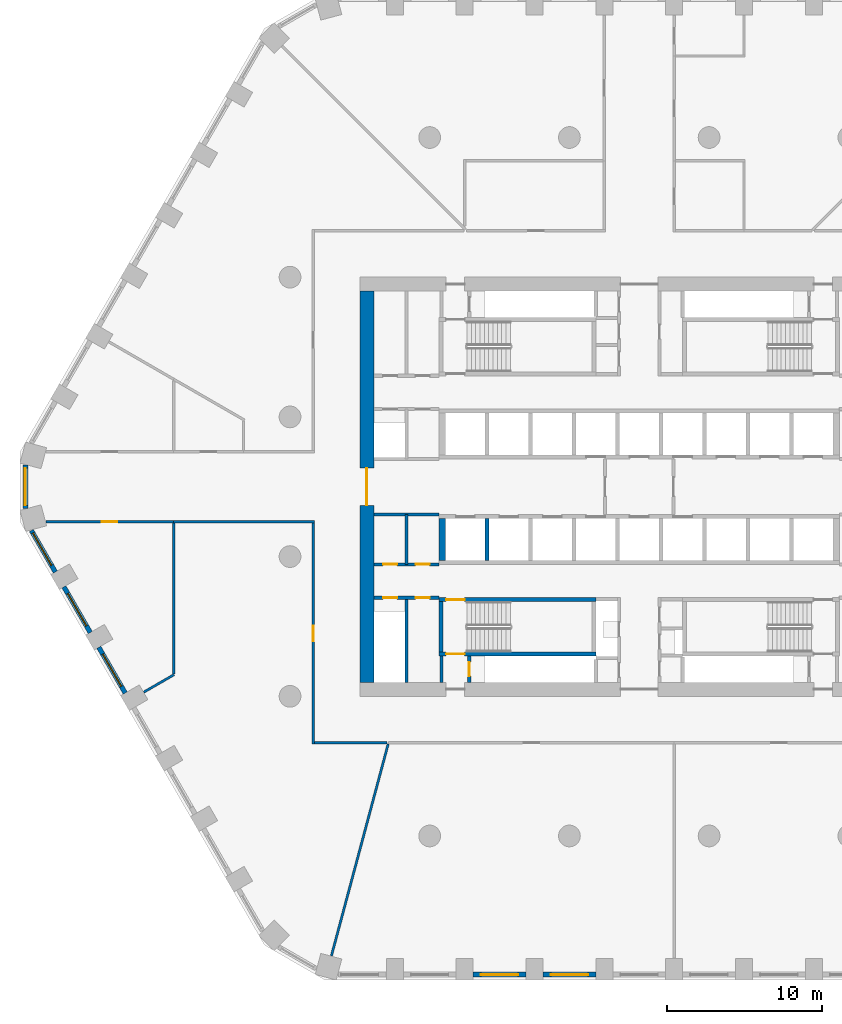
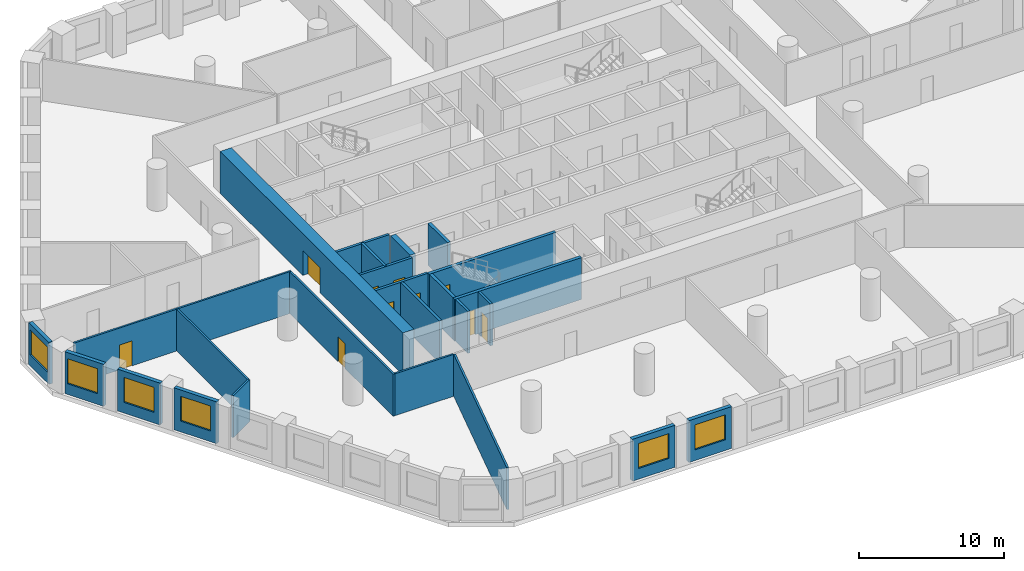
# One storey, part 2 of 10: 26 walls, 10 doors, 6 windows, 16 openings.
"""IFC4 building model written with IfcOpenShell, lengths in metres."""

from ifc_helpers import new_model, si_unit, direction, frame, frame_2d, origin, place, context, subcontext, project, spatial, polyline, rectangle, outline, extrude, material, layer, layer_set, type_object, element, fill, save


model = new_model("IFC4")

# Units and contexts
model_context = context("Model", 3, precision=1e-05, world=origin(), true_north=direction((0.0, 1.0)))
body_context = subcontext(model_context, "Body", "Model", "MODEL_VIEW")
ifc_project = project(units=[si_unit("LENGTHUNIT", "METRE"), si_unit("AREAUNIT", "SQUARE_METRE"), si_unit("VOLUMEUNIT", "CUBIC_METRE"), si_unit("PLANEANGLEUNIT", "RADIAN"), si_unit("MASSUNIT", "GRAM", prefix="KILO")], contexts=[model_context])

# Site, building, storey
site_placement = place(None, origin())
site = spatial("IfcSite", under=ifc_project, at=site_placement, CompositionType="ELEMENT")
building_placement = place(site_placement, origin())
building = spatial("IfcBuilding", under=site, at=building_placement, Name="Dhurran Vertical Campus", CompositionType="ELEMENT")
storey_placement = place(building_placement, frame((0.0, 0.0, 61.199951171875)))
storey = spatial("IfcBuildingStorey", under=building, at=storey_placement, Name="L14", CompositionType="ELEMENT", Elevation=61.199951171875)

# Wall, opening, window
ifc_material_1 = material(Name="Precast concrete C50/60", Category="concrete")
ifc_layer_1 = layer(ifc_material_1, 0.300048828125)
ifc_layer_set_1 = layer_set([ifc_layer_1], Name="Precast concrete C50/60")
wall_type_1 = type_object("IfcWallType", Name="Precast spandrel wall 300", PredefinedType="SOLIDWALL", material=ifc_layer_set_1)
wall_1_placement = place(storey_placement, frame((-10.699462890625, -31.4296875, 0.0), z_axis=(0.0, 0.0, 1.0), x_axis=(1.0, 0.0, 0.0)))
wall_1 = element("IfcWall", 1, at=wall_1_placement, inside=storey, type_object=wall_type_1, Name="EW1 L14.02", PredefinedType="SOLIDWALL", context=body_context, shape_type="SweptSolid", body=[
    extrude(rectangle(XDim=3.39892578125, YDim=0.300048828125, at=frame_2d((1.699462890625, 0.0))), origin(), (0.0, 0.0, 1.0), 3.525146484375),
])
opening_1_placement = place(wall_1_placement, frame((0.49951171875, 0.0, 0.89990234375)))
opening_1 = element("IfcOpeningElement", 2, at=opening_1_placement, cuts=wall_1, Name="Opening WT1", PredefinedType="OPENING", context=body_context, shape_type="SweptSolid", body=[
    extrude(rectangle(XDim=2.39990234375, YDim=2.10009765625, at=frame_2d((1.199951171875, 1.050048828125))), frame((0.0, 0.159912109375, 0.0), z_axis=(0.0, -1.0, 0.0), x_axis=(1.0, 0.0, 0.0)), (0.0, 0.0, 1.0), 0.320068359375),
])
ifc_material_2 = material(Name="Aluminium frame with solar-control glass", Category="aluminium")
window_type = type_object("IfcWindowType", Name="Punched window 2400 x 2100", PartitioningType="SINGLE_PANEL", PredefinedType="WINDOW", material=ifc_material_2)
window_1_placement = place(opening_1_placement, origin())
window_1 = element("IfcWindow", 3, at=window_1_placement, inside=storey, type_object=window_type, Name="WT1 L14.02", OverallHeight=2.10009765625, OverallWidth=2.39990234375, PartitioningType="SINGLE_PANEL", PredefinedType="WINDOW", context=body_context, shape_type="SweptSolid", body=[
    extrude(rectangle(XDim=2.39990234375, YDim=2.10009765625, at=frame_2d((1.199951171875, 1.050048828125))), frame((0.0, 0.030029296875, 0.0), z_axis=(0.0, -1.0, 0.0), x_axis=(1.0, 0.0, 0.0)), (0.0, 0.0, 1.0), 0.06005859375),
])
fill(opening_1, window_1)

wall_2_placement = place(storey_placement, frame((-6.199462890625, -31.4296875, 0.0), z_axis=(0.0, 0.0, 1.0), x_axis=(1.0, 0.0, 0.0)))
wall_2 = element("IfcWall", 4, at=wall_2_placement, inside=storey, type_object=wall_type_1, Name="EW1 L14.03", PredefinedType="SOLIDWALL", context=body_context, shape_type="SweptSolid", body=[
    extrude(rectangle(XDim=3.39892578125, YDim=0.300048828125, at=frame_2d((1.699462890625, 0.0))), origin(), (0.0, 0.0, 1.0), 3.525146484375),
])
opening_2_placement = place(wall_2_placement, frame((0.49951171875, 0.0, 0.89990234375)))
opening_2 = element("IfcOpeningElement", 5, at=opening_2_placement, cuts=wall_2, Name="Opening WT1", PredefinedType="OPENING", context=body_context, shape_type="SweptSolid", body=[
    extrude(rectangle(XDim=2.39990234375, YDim=2.10009765625, at=frame_2d((1.199951171875, 1.050048828125))), frame((0.0, 0.159912109375, 0.0), z_axis=(0.0, -1.0, 0.0), x_axis=(1.0, 0.0, 0.0)), (0.0, 0.0, 1.0), 0.320068359375),
])
window_2_placement = place(opening_2_placement, origin())
window_2 = element("IfcWindow", 6, at=window_2_placement, inside=storey, type_object=window_type, Name="WT1 L14.03", OverallHeight=2.10009765625, OverallWidth=2.39990234375, PartitioningType="SINGLE_PANEL", PredefinedType="WINDOW", context=body_context, shape_type="SweptSolid", body=[
    extrude(rectangle(XDim=2.39990234375, YDim=2.10009765625, at=frame_2d((1.199951171875, 1.050048828125))), frame((0.0, 0.030029296875, 0.0), z_axis=(0.0, -1.0, 0.0), x_axis=(1.0, 0.0, 0.0)), (0.0, 0.0, 1.0), 0.06005859375),
])
fill(opening_2, window_2)

wall_3_placement = place(storey_placement, frame((-39.547119140625, 1.39111328125, 0.0), z_axis=(0.0, 0.0, 1.0), x_axis=(0.0, -1.0, 0.0)))
wall_3 = element("IfcWall", 7, at=wall_3_placement, inside=storey, type_object=wall_type_1, Name="EW1 L14.43", PredefinedType="SOLIDWALL", context=body_context, shape_type="SweptSolid", body=[
    extrude(rectangle(XDim=2.7822265625, YDim=0.300048828125, at=frame_2d((1.39111328125, 0.0))), origin(), (0.0, 0.0, 1.0), 3.525146484375),
])
opening_3_placement = place(wall_3_placement, frame((0.191162109375, 0.0, 0.89990234375)))
opening_3 = element("IfcOpeningElement", 8, at=opening_3_placement, cuts=wall_3, Name="Opening WT1", PredefinedType="OPENING", context=body_context, shape_type="SweptSolid", body=[
    extrude(rectangle(XDim=2.39990234375, YDim=2.10009765625, at=frame_2d((1.199951171875, 1.050048828125))), frame((0.0, 0.159912109375, 0.0), z_axis=(0.0, -1.0, 0.0), x_axis=(1.0, 0.0, 0.0)), (0.0, 0.0, 1.0), 0.320068359375),
])
window_3_placement = place(opening_3_placement, origin())
window_3 = element("IfcWindow", 9, at=window_3_placement, inside=storey, type_object=window_type, Name="WT1 L14.43", OverallHeight=2.10009765625, OverallWidth=2.39990234375, PartitioningType="SINGLE_PANEL", PredefinedType="WINDOW", context=body_context, shape_type="SweptSolid", body=[
    extrude(rectangle(XDim=2.39990234375, YDim=2.10009765625, at=frame_2d((1.199951171875, 1.050048828125))), frame((0.0, 0.030029296875, 0.0), z_axis=(0.0, -1.0, 0.0), x_axis=(1.0, 0.0, 0.0)), (0.0, 0.0, 1.0), 0.06005859375),
])
fill(opening_3, window_3)

wall_4_placement = place(storey_placement, frame((-39.16455078125, -2.81884765625, 0.0), z_axis=(0.0, 0.0, 1.0), x_axis=(0.49997090907, -0.866042198789, 0.0)))
wall_4 = element("IfcWall", 10, at=wall_4_placement, inside=storey, type_object=wall_type_1, Name="EW1 L14.44", PredefinedType="SOLIDWALL", context=body_context, shape_type="SweptSolid", body=[
    extrude(rectangle(XDim=3.090576171875, YDim=0.300048828125, at=frame_2d((1.54541015625, 0.0))), origin(), (0.0, 0.0, 1.0), 3.525146484375),
])
opening_4_placement = place(wall_4_placement, frame((0.19091796875, 0.0, 0.89990234375)))
opening_4 = element("IfcOpeningElement", 11, at=opening_4_placement, cuts=wall_4, Name="Opening WT1", PredefinedType="OPENING", context=body_context, shape_type="SweptSolid", body=[
    extrude(rectangle(XDim=2.39990234375, YDim=2.10009765625, at=frame_2d((1.199951171875, 1.050048828125))), frame((0.0, 0.159912109375, 0.0), z_axis=(0.0, -1.0, 0.0), x_axis=(1.0, 0.0, 0.0)), (0.0, 0.0, 1.0), 0.320068359375),
])
window_4_placement = place(opening_4_placement, origin())
window_4 = element("IfcWindow", 12, at=window_4_placement, inside=storey, type_object=window_type, Name="WT1 L14.44", OverallHeight=2.10009765625, OverallWidth=2.39990234375, PartitioningType="SINGLE_PANEL", PredefinedType="WINDOW", context=body_context, shape_type="SweptSolid", body=[
    extrude(rectangle(XDim=2.39990234375, YDim=2.10009765625, at=frame_2d((1.199951171875, 1.050048828125))), frame((0.0, 0.030029296875, 0.0), z_axis=(0.0, -1.0, 0.0), x_axis=(1.0, 0.0, 0.0)), (0.0, 0.0, 1.0), 0.06005859375),
])
fill(opening_4, window_4)

wall_5_placement = place(storey_placement, frame((-37.06884765625, -6.448974609375, 0.0), z_axis=(0.0, 0.0, 1.0), x_axis=(0.499993955907, -0.866028893315, 0.0)))
wall_5 = element("IfcWall", 13, at=wall_5_placement, inside=storey, type_object=wall_type_1, Name="EW1 L14.45", PredefinedType="SOLIDWALL", context=body_context, shape_type="SweptSolid", body=[
    extrude(rectangle(XDim=3.39892578125, YDim=0.300048828125, at=frame_2d((1.699462890625, 0.0))), origin(), (0.0, 0.0, 1.0), 3.525146484375),
])
opening_5_placement = place(wall_5_placement, frame((0.49951171875, 0.0, 0.89990234375)))
opening_5 = element("IfcOpeningElement", 14, at=opening_5_placement, cuts=wall_5, Name="Opening WT1", PredefinedType="OPENING", context=body_context, shape_type="SweptSolid", body=[
    extrude(rectangle(XDim=2.39990234375, YDim=2.10009765625, at=frame_2d((1.199951171875, 1.050048828125))), frame((0.0, 0.159912109375, 0.0), z_axis=(0.0, -1.0, 0.0), x_axis=(1.0, 0.0, 0.0)), (0.0, 0.0, 1.0), 0.320068359375),
])
window_5_placement = place(opening_5_placement, origin())
window_5 = element("IfcWindow", 15, at=window_5_placement, inside=storey, type_object=window_type, Name="WT1 L14.45", OverallHeight=2.10009765625, OverallWidth=2.39990234375, PartitioningType="SINGLE_PANEL", PredefinedType="WINDOW", context=body_context, shape_type="SweptSolid", body=[
    extrude(rectangle(XDim=2.39990234375, YDim=2.10009765625, at=frame_2d((1.199951171875, 1.050048828125))), frame((0.0, 0.030029296875, 0.0), z_axis=(0.0, -1.0, 0.0), x_axis=(1.0, 0.0, 0.0)), (0.0, 0.0, 1.0), 0.06005859375),
])
fill(opening_5, window_5)

wall_6_placement = place(storey_placement, frame((-34.81884765625, -10.345947265625, 0.0), z_axis=(0.0, 0.0, 1.0), x_axis=(0.499993955907, -0.866028893315, 0.0)))
wall_6 = element("IfcWall", 16, at=wall_6_placement, inside=storey, type_object=wall_type_1, Name="EW1 L14.46", PredefinedType="SOLIDWALL", context=body_context, shape_type="SweptSolid", body=[
    extrude(rectangle(XDim=3.39892578125, YDim=0.300048828125, at=frame_2d((1.699462890625, 0.0))), origin(), (0.0, 0.0, 1.0), 3.525146484375),
])
opening_6_placement = place(wall_6_placement, frame((0.49951171875, 0.0, 0.89990234375)))
opening_6 = element("IfcOpeningElement", 17, at=opening_6_placement, cuts=wall_6, Name="Opening WT1", PredefinedType="OPENING", context=body_context, shape_type="SweptSolid", body=[
    extrude(rectangle(XDim=2.39990234375, YDim=2.10009765625, at=frame_2d((1.199951171875, 1.050048828125))), frame((0.0, 0.159912109375, 0.0), z_axis=(0.0, -1.0, 0.0), x_axis=(1.0, 0.0, 0.0)), (0.0, 0.0, 1.0), 0.320068359375),
])
window_6_placement = place(opening_6_placement, origin())
window_6 = element("IfcWindow", 18, at=window_6_placement, inside=storey, type_object=window_type, Name="WT1 L14.46", OverallHeight=2.10009765625, OverallWidth=2.39990234375, PartitioningType="SINGLE_PANEL", PredefinedType="WINDOW", context=body_context, shape_type="SweptSolid", body=[
    extrude(rectangle(XDim=2.39990234375, YDim=2.10009765625, at=frame_2d((1.199951171875, 1.050048828125))), frame((0.0, 0.030029296875, 0.0), z_axis=(0.0, -1.0, 0.0), x_axis=(1.0, 0.0, 0.0)), (0.0, 0.0, 1.0), 0.06005859375),
])
fill(opening_6, window_6)

# Wall, opening, door
ifc_material_3 = material(Name="Concrete C60/75", Category="concrete")
ifc_layer_2 = layer(ifc_material_3, 0.89990234375)
ifc_layer_set_2 = layer_set([ifc_layer_2], Name="Concrete C60/75")
wall_type_2 = type_object("IfcWallType", Name="co-CORE-WALL-C0-900", PredefinedType="SHEAR", material=ifc_layer_set_2)
wall_7_placement = place(storey_placement, frame((-17.550048828125, -12.60009765625, 0.0), z_axis=(0.0, 0.0, 1.0), x_axis=(0.0, 1.0, 0.0)))
wall_7 = element("IfcWall", 19, at=wall_7_placement, inside=storey, type_object=wall_type_2, Name="Core wall W L14", PredefinedType="SHEAR", context=body_context, shape_type="SweptSolid", body=[
    extrude(rectangle(XDim=25.2001953125, YDim=0.89990234375, at=frame_2d((12.60009765625, 0.0))), origin(), (0.0, 0.0, 1.0), 3.525146484375),
])
opening_7_placement = place(wall_7_placement, frame((11.39990234375, 0.0, 0.0)))
opening_7 = element("IfcOpeningElement", 20, at=opening_7_placement, cuts=wall_7, Name="Opening CL1", PredefinedType="OPENING", context=body_context, shape_type="SweptSolid", body=[
    extrude(rectangle(XDim=2.39990234375, YDim=2.10009765625, at=frame_2d((1.199951171875, 1.050048828125))), frame((0.0, 0.4599609375, 0.0), z_axis=(0.0, -1.0, 0.0), x_axis=(1.0, 0.0, 0.0)), (0.0, 0.0, 1.0), 0.919921875),
])
ifc_material_4 = material(Name="Fire-rated glazed door set")
door_type_1 = type_object("IfcDoorType", Name="co-D-LOBBY 2400x2100", OperationType="DOUBLE_DOOR_DOUBLE_SWING", PredefinedType="DOOR", material=ifc_material_4)
door_1_placement = place(opening_7_placement, origin())
door_1 = element("IfcDoor", 21, at=door_1_placement, inside=storey, type_object=door_type_1, Name="Lift lobby door W L14", OperationType="DOUBLE_DOOR_DOUBLE_SWING", OverallHeight=2.10009765625, OverallWidth=2.39990234375, PredefinedType="DOOR", context=body_context, shape_type="SweptSolid", body=[
    extrude(rectangle(XDim=2.39990234375, YDim=2.10009765625, at=frame_2d((1.199951171875, 1.050048828125))), frame((0.0, 0.02490234375, 0.0), z_axis=(0.0, -1.0, 0.0), x_axis=(1.0, 0.0, 0.0)), (0.0, 0.0, 1.0), 0.050048828125),
])
fill(opening_7, door_1)

# Wall
ifc_material_5 = material(Name="Fire-rated masonry blockwork", Category="masonry")
ifc_layer_3 = layer(ifc_material_5, 0.199951171875)
ifc_layer_set_3 = layer_set([ifc_layer_3], Name="Fire-rated masonry blockwork")
wall_type_3 = type_object("IfcWallType", Name="co-FIRE-PARTITION-200", PredefinedType="PARTITIONING", material=ifc_layer_set_3)
wall_8_placement = place(storey_placement, frame((-12.75, -12.60009765625, 0.0), z_axis=(0.0, 0.0, 1.0), x_axis=(0.0, 1.0, 0.0)))
element("IfcWall", 22, at=wall_8_placement, inside=storey, type_object=wall_type_3, Name="Core partition pass-ST3-o L14", PredefinedType="PARTITIONING", context=body_context, shape_type="SweptSolid", body=[
    extrude(rectangle(XDim=1.7001953125, YDim=0.199951171875, at=frame_2d((0.85009765625, 0.0))), origin(), (0.0, 0.0, 1.0), 3.525146484375),
])

# Wall, opening, door
wall_9_placement = place(storey_placement, frame((-10.949951171875, -12.60009765625, 0.0), z_axis=(0.0, 0.0, 1.0), x_axis=(0.0, 1.0, 0.0)))
wall_9 = element("IfcWall", 23, at=wall_9_placement, inside=storey, type_object=wall_type_3, Name="Core partition pass-ST3-i L14", PredefinedType="PARTITIONING", context=body_context, shape_type="SweptSolid", body=[
    extrude(rectangle(XDim=1.7001953125, YDim=0.199951171875, at=frame_2d((0.85009765625, 0.0))), origin(), (0.0, 0.0, 1.0), 3.525146484375),
])
opening_8_placement = place(wall_9_placement, frame((0.39990234375, 0.0, 0.0)))
opening_8 = element("IfcOpeningElement", 24, at=opening_8_placement, cuts=wall_9, Name="Opening T03-C12", PredefinedType="OPENING", context=body_context, shape_type="SweptSolid", body=[
    extrude(rectangle(XDim=0.89990234375, YDim=2.10009765625, at=frame_2d((0.449951171875, 1.050048828125))), frame((0.0, 0.10986328125, 0.0), z_axis=(0.0, -1.0, 0.0), x_axis=(1.0, 0.0, 0.0)), (0.0, 0.0, 1.0), 0.219970703125),
])
ifc_material_6 = material(Name="Fire-rated timber door set", Category="wood")
door_type_2 = type_object("IfcDoorType", Name="co-D-ROOM 900x2100", OperationType="SINGLE_SWING_LEFT", PredefinedType="DOOR", material=ifc_material_6)
door_2_placement = place(opening_8_placement, origin())
door_2 = element("IfcDoor", 25, at=door_2_placement, inside=storey, type_object=door_type_2, Name="Riser room door L14", OperationType="SINGLE_SWING_LEFT", OverallHeight=2.10009765625, OverallWidth=0.89990234375, PredefinedType="DOOR", context=body_context, shape_type="SweptSolid", body=[
    extrude(rectangle(XDim=0.89990234375, YDim=2.10009765625, at=frame_2d((0.449951171875, 1.050048828125))), frame((0.0, 0.02490234375, 0.0), z_axis=(0.0, -1.0, 0.0), x_axis=(1.0, 0.0, 0.0)), (0.0, 0.0, 1.0), 0.050048828125),
])
fill(opening_8, door_2)

# Wall
wall_10_placement = place(storey_placement, frame((-15.0, -12.60009765625, 0.0), z_axis=(0.0, 0.0, 1.0), x_axis=(0.0, 1.0, 0.0)))
element("IfcWall", 26, at=wall_10_placement, inside=storey, type_object=wall_type_3, Name="Core partition en-SW-cut0 L14", PredefinedType="PARTITIONING", context=body_context, shape_type="SweptSolid", body=[
    extrude(rectangle(XDim=5.4501953125, YDim=0.199951171875, at=frame_2d((2.72509765625, 0.0))), origin(), (0.0, 0.0, 1.0), 3.525146484375),
])

# Wall, openings, doors
wall_11_placement = place(storey_placement, frame((-17.10009765625, -7.14990234375, 0.0), z_axis=(0.0, 0.0, 1.0), x_axis=(1.0, 0.0, 0.0)))
wall_11 = element("IfcWall", 27, at=wall_11_placement, inside=storey, type_object=wall_type_3, Name="Core partition en-SW-w L14", PredefinedType="PARTITIONING", context=body_context, shape_type="SweptSolid", body=[
    extrude(rectangle(XDim=4.2001953125, YDim=0.199951171875, at=frame_2d((2.10009765625, 0.0))), origin(), (0.0, 0.0, 1.0), 3.525146484375),
])
opening_9_placement = place(wall_11_placement, frame((0.60009765625, 0.0, 0.0)))
opening_9 = element("IfcOpeningElement", 28, at=opening_9_placement, cuts=wall_11, Name="Opening T03-C21", PredefinedType="OPENING", context=body_context, shape_type="SweptSolid", body=[
    extrude(rectangle(XDim=0.89990234375, YDim=2.10009765625, at=frame_2d((0.449951171875, 1.050048828125))), frame((0.0, 0.10986328125, 0.0), z_axis=(0.0, -1.0, 0.0), x_axis=(1.0, 0.0, 0.0)), (0.0, 0.0, 1.0), 0.219970703125),
])
opening_10_placement = place(wall_11_placement, frame((2.699951171875, 0.0, 0.0)))
opening_10 = element("IfcOpeningElement", 29, at=opening_10_placement, cuts=wall_11, Name="Opening T03-C22", PredefinedType="OPENING", context=body_context, shape_type="SweptSolid", body=[
    extrude(rectangle(XDim=0.89990234375, YDim=2.10009765625, at=frame_2d((0.449951171875, 1.050048828125))), frame((0.0, 0.10986328125, 0.0), z_axis=(0.0, -1.0, 0.0), x_axis=(1.0, 0.0, 0.0)), (0.0, 0.0, 1.0), 0.219970703125),
])
door_3_placement = place(opening_9_placement, origin())
door_3 = element("IfcDoor", 30, at=door_3_placement, inside=storey, type_object=door_type_2, Name="Electrical riser door L14", OperationType="SINGLE_SWING_LEFT", OverallHeight=2.10009765625, OverallWidth=0.89990234375, PredefinedType="DOOR", context=body_context, shape_type="SweptSolid", body=[
    extrude(rectangle(XDim=0.89990234375, YDim=2.10009765625, at=frame_2d((0.449951171875, 1.050048828125))), frame((0.0, 0.02490234375, 0.0), z_axis=(0.0, -1.0, 0.0), x_axis=(1.0, 0.0, 0.0)), (0.0, 0.0, 1.0), 0.050048828125),
])
fill(opening_9, door_3)
door_4_placement = place(opening_10_placement, origin())
door_4 = element("IfcDoor", 31, at=door_4_placement, inside=storey, type_object=door_type_2, Name="Waste room door L14", OperationType="SINGLE_SWING_LEFT", OverallHeight=2.10009765625, OverallWidth=0.89990234375, PredefinedType="DOOR", context=body_context, shape_type="SweptSolid", body=[
    extrude(rectangle(XDim=0.89990234375, YDim=2.10009765625, at=frame_2d((0.449951171875, 1.050048828125))), frame((0.0, 0.02490234375, 0.0), z_axis=(0.0, -1.0, 0.0), x_axis=(1.0, 0.0, 0.0)), (0.0, 0.0, 1.0), 0.050048828125),
])
fill(opening_10, door_4)

# Wall
wall_12_placement = place(storey_placement, frame((-15.0, -5.0, 0.0), z_axis=(0.0, 0.0, 1.0), x_axis=(0.0, 1.0, 0.0)))
element("IfcWall", 32, at=wall_12_placement, inside=storey, type_object=wall_type_3, Name="Core partition es-SW-cut0 L14", PredefinedType="PARTITIONING", context=body_context, shape_type="SweptSolid", body=[
    extrude(rectangle(XDim=3.199951171875, YDim=0.199951171875, at=frame_2d((1.60009765625, 0.0))), origin(), (0.0, 0.0, 1.0), 3.525146484375),
])

# Wall, openings, doors
wall_13_placement = place(storey_placement, frame((-17.10009765625, -5.0, 0.0), z_axis=(0.0, 0.0, 1.0), x_axis=(1.0, 0.0, 0.0)))
wall_13 = element("IfcWall", 33, at=wall_13_placement, inside=storey, type_object=wall_type_3, Name="Core partition es-SW-w L14", PredefinedType="PARTITIONING", context=body_context, shape_type="SweptSolid", body=[
    extrude(rectangle(XDim=4.2001953125, YDim=0.199951171875, at=frame_2d((2.10009765625, 0.0))), origin(), (0.0, 0.0, 1.0), 3.525146484375),
])
opening_11_placement = place(wall_13_placement, frame((0.60009765625, 0.0, 0.0)))
opening_11 = element("IfcOpeningElement", 34, at=opening_11_placement, cuts=wall_13, Name="Opening T03-C23", PredefinedType="OPENING", context=body_context, shape_type="SweptSolid", body=[
    extrude(rectangle(XDim=0.89990234375, YDim=2.10009765625, at=frame_2d((0.449951171875, 1.050048828125))), frame((0.0, 0.10986328125, 0.0), z_axis=(0.0, -1.0, 0.0), x_axis=(1.0, 0.0, 0.0)), (0.0, 0.0, 1.0), 0.219970703125),
])
opening_12_placement = place(wall_13_placement, frame((2.699951171875, 0.0, 0.0)))
opening_12 = element("IfcOpeningElement", 35, at=opening_12_placement, cuts=wall_13, Name="Opening T03-C24", PredefinedType="OPENING", context=body_context, shape_type="SweptSolid", body=[
    extrude(rectangle(XDim=0.89990234375, YDim=2.10009765625, at=frame_2d((0.449951171875, 1.050048828125))), frame((0.0, 0.10986328125, 0.0), z_axis=(0.0, -1.0, 0.0), x_axis=(1.0, 0.0, 0.0)), (0.0, 0.0, 1.0), 0.219970703125),
])
door_5_placement = place(opening_11_placement, origin())
door_5 = element("IfcDoor", 36, at=door_5_placement, inside=storey, type_object=door_type_2, Name="Plant room door L14", OperationType="SINGLE_SWING_LEFT", OverallHeight=2.10009765625, OverallWidth=0.89990234375, PredefinedType="DOOR", context=body_context, shape_type="SweptSolid", body=[
    extrude(rectangle(XDim=0.89990234375, YDim=2.10009765625, at=frame_2d((0.449951171875, 1.050048828125))), frame((0.0, 0.02490234375, 0.0), z_axis=(0.0, -1.0, 0.0), x_axis=(1.0, 0.0, 0.0)), (0.0, 0.0, 1.0), 0.050048828125),
])
fill(opening_11, door_5)
door_6_placement = place(opening_12_placement, origin())
door_6 = element("IfcDoor", 37, at=door_6_placement, inside=storey, type_object=door_type_2, Name="Plant room door L14", OperationType="SINGLE_SWING_LEFT", OverallHeight=2.10009765625, OverallWidth=0.89990234375, PredefinedType="DOOR", context=body_context, shape_type="SweptSolid", body=[
    extrude(rectangle(XDim=0.89990234375, YDim=2.10009765625, at=frame_2d((0.449951171875, 1.050048828125))), frame((0.0, 0.02490234375, 0.0), z_axis=(0.0, -1.0, 0.0), x_axis=(1.0, 0.0, 0.0)), (0.0, 0.0, 1.0), 0.050048828125),
])
fill(opening_12, door_6)

# Walls
wall_14_placement = place(storey_placement, frame((-17.10009765625, -1.800048828125, 0.0), z_axis=(0.0, 0.0, 1.0), x_axis=(1.0, 0.0, 0.0)))
element("IfcWall", 38, at=wall_14_placement, inside=storey, type_object=wall_type_3, Name="Core partition es-SW-l L14", PredefinedType="PARTITIONING", context=body_context, shape_type="SweptSolid", body=[
    extrude(rectangle(XDim=4.2001953125, YDim=0.199951171875, at=frame_2d((2.10009765625, 0.0))), origin(), (0.0, 0.0, 1.0), 3.525146484375),
])
ifc_material_7 = material(Name="Concrete C50/60", Category="concrete")
ifc_layer_4 = layer(ifc_material_7, 0.25)
ifc_layer_set_4 = layer_set([ifc_layer_4], Name="Concrete C50/60")
wall_type_4 = type_object("IfcWallType", Name="co-SHAFT-MASS-250", PredefinedType="SHEAR", material=ifc_layer_set_4)
wall_15_placement = place(storey_placement, origin())
element("IfcWall", 39, at=wall_15_placement, inside=storey, type_object=wall_type_4, Name="Lift shaft wall S L14 2", PredefinedType="SHEAR", context=body_context, shape_type="SweptSolid", body=[
    extrude(outline(polyline([(-12.89990234375, -4.75), (-12.47509765625, -4.75), (-12.47509765625, -2.050048828125), (-12.89990234375, -2.050048828125), (-12.89990234375, -4.75)])), origin(), (0.0, 0.0, 1.0), 3.525146484375),
])
wall_16_placement = place(storey_placement, origin())
element("IfcWall", 40, at=wall_16_placement, inside=storey, type_object=wall_type_4, Name="Lift shaft wall S L14 3", PredefinedType="SHEAR", context=body_context, shape_type="SweptSolid", body=[
    extrude(outline(polyline([(-9.925048828125, -4.75), (-9.675048828125, -4.75), (-9.675048828125, -2.050048828125), (-9.925048828125, -2.050048828125), (-9.925048828125, -4.75)])), origin(), (0.0, 0.0, 1.0), 3.525146484375),
])

# Wall, opening, door
ifc_material_8 = material(Name="Concrete C40/50", Category="concrete")
ifc_layer_5 = layer(ifc_material_8, 0.25)
ifc_layer_set_5 = layer_set([ifc_layer_5], Name="Concrete C40/50")
wall_type_5 = type_object("IfcWallType", Name="co-STAIR-WALL-250", PredefinedType="SHEAR", material=ifc_layer_set_5)
wall_17_placement = place(storey_placement, frame((-12.89990234375, -10.77490234375, 0.0), z_axis=(0.0, 0.0, 1.0), x_axis=(1.0, 0.0, 0.0)))
wall_17 = element("IfcWall", 41, at=wall_17_placement, inside=storey, type_object=wall_type_5, Name="Stair ST3 enclosure wall L14", PredefinedType="SHEAR", context=body_context, shape_type="SweptSolid", body=[
    extrude(rectangle(XDim=10.099853515625, YDim=0.25, at=frame_2d((5.0498046875, 0.0))), origin(), (0.0, 0.0, 1.0), 3.525146484375),
])
opening_13_placement = place(wall_17_placement, frame((0.449951171875, 0.0, 0.0)))
opening_13 = element("IfcOpeningElement", 42, at=opening_13_placement, cuts=wall_17, Name="Opening XS3", PredefinedType="OPENING", context=body_context, shape_type="SweptSolid", body=[
    extrude(rectangle(XDim=1.199951171875, YDim=2.10009765625, at=frame_2d((0.60009765625, 1.050048828125))), frame((0.0, 0.135009765625, 0.0), z_axis=(0.0, -1.0, 0.0), x_axis=(1.0, 0.0, 0.0)), (0.0, 0.0, 1.0), 0.27001953125),
])
ifc_material_9 = material(Name="Fire-rated steel door set", Category="steel")
door_type_3 = type_object("IfcDoorType", Name="co-D-STAIR-EXIT 1200x2100", OperationType="SINGLE_SWING_RIGHT", PredefinedType="DOOR", material=ifc_material_9)
door_7_placement = place(opening_13_placement, origin())
door_7 = element("IfcDoor", 43, at=door_7_placement, inside=storey, type_object=door_type_3, Name="Stair ST3 discharge door L14", OperationType="SINGLE_SWING_RIGHT", OverallHeight=2.10009765625, OverallWidth=1.199951171875, PredefinedType="DOOR", context=body_context, shape_type="SweptSolid", body=[
    extrude(rectangle(XDim=1.199951171875, YDim=2.10009765625, at=frame_2d((0.60009765625, 1.050048828125))), frame((0.0, 0.02490234375, 0.0), z_axis=(0.0, -1.0, 0.0), x_axis=(1.0, 0.0, 0.0)), (0.0, 0.0, 1.0), 0.050048828125),
])
fill(opening_13, door_7)

wall_18_placement = place(storey_placement, frame((-12.89990234375, -7.27490234375, 0.0), z_axis=(0.0, 0.0, 1.0), x_axis=(1.0, 0.0, 0.0)))
wall_18 = element("IfcWall", 44, at=wall_18_placement, inside=storey, type_object=wall_type_5, Name="Stair ST3 enclosure wall L14", PredefinedType="SHEAR", context=body_context, shape_type="SweptSolid", body=[
    extrude(rectangle(XDim=10.099853515625, YDim=0.25, at=frame_2d((5.0498046875, 0.0))), origin(), (0.0, 0.0, 1.0), 3.525146484375),
])
opening_14_placement = place(wall_18_placement, frame((0.449951171875, 0.0, 0.0)))
opening_14 = element("IfcOpeningElement", 45, at=opening_14_placement, cuts=wall_18, Name="Opening SD3", PredefinedType="OPENING", context=body_context, shape_type="SweptSolid", body=[
    extrude(rectangle(XDim=1.199951171875, YDim=2.10009765625, at=frame_2d((0.60009765625, 1.050048828125))), frame((0.0, 0.135009765625, 0.0), z_axis=(0.0, -1.0, 0.0), x_axis=(1.0, 0.0, 0.0)), (0.0, 0.0, 1.0), 0.27001953125),
])
ifc_material_10 = material(Name="Fire-rated steel door set", Category="steel")
door_type_4 = type_object("IfcDoorType", Name="co-D-STAIR 1200x2100", OperationType="SINGLE_SWING_LEFT", PredefinedType="DOOR", material=ifc_material_10)
door_8_placement = place(opening_14_placement, origin())
door_8 = element("IfcDoor", 46, at=door_8_placement, inside=storey, type_object=door_type_4, Name="Stair ST3 door L14", OperationType="SINGLE_SWING_LEFT", OverallHeight=2.10009765625, OverallWidth=1.199951171875, PredefinedType="DOOR", context=body_context, shape_type="SweptSolid", body=[
    extrude(rectangle(XDim=1.199951171875, YDim=2.10009765625, at=frame_2d((0.60009765625, 1.050048828125))), frame((0.0, 0.02490234375, 0.0), z_axis=(0.0, -1.0, 0.0), x_axis=(1.0, 0.0, 0.0)), (0.0, 0.0, 1.0), 0.050048828125),
])
fill(opening_14, door_8)

# Wall
wall_19_placement = place(storey_placement, frame((-12.77490234375, -10.64990234375, 0.0), z_axis=(0.0, 0.0, 1.0), x_axis=(0.0, 1.0, 0.0)))
element("IfcWall", 47, at=wall_19_placement, inside=storey, type_object=wall_type_5, Name="Stair ST3 enclosure wall L14", PredefinedType="SHEAR", context=body_context, shape_type="SweptSolid", body=[
    extrude(rectangle(XDim=3.25, YDim=0.25, at=frame_2d((1.625, 0.0))), origin(), (0.0, 0.0, 1.0), 3.525146484375),
])

# Wall, opening, door
ifc_material_11 = material(Name="Gypsum board corridor wall on steel studs", Category="steel")
ifc_layer_6 = layer(ifc_material_11, 0.14990234375)
ifc_layer_set_6 = layer_set([ifc_layer_6], Name="Gypsum board corridor wall on steel studs")
wall_type_6 = type_object("IfcWallType", Name="fl-CW-150 corridor wall", PredefinedType="PARTITIONING", material=ifc_layer_set_6)
wall_20_placement = place(storey_placement, frame((-30.0, -2.25, 0.0), z_axis=(0.0, 0.0, 1.0), x_axis=(-1.0, 0.0, 0.0)))
wall_20 = element("IfcWall", 48, at=wall_20_placement, inside=storey, type_object=wall_type_6, Name="Partition 14-01", PredefinedType="PARTITIONING", context=body_context, shape_type="SweptSolid", body=[
    extrude(rectangle(XDim=8.23291015625, YDim=0.14990234375, at=frame_2d((4.116455078125, 0.0))), origin(), (0.0, 0.0, 1.0), 3.525146484375),
])
opening_15_placement = place(wall_20_placement, frame((3.616455078125, 0.0, 0.0)))
opening_15 = element("IfcOpeningElement", 49, at=opening_15_placement, cuts=wall_20, Name="Opening T03.02", PredefinedType="OPENING", context=body_context, shape_type="SweptSolid", body=[
    extrude(rectangle(XDim=1.0, YDim=2.10009765625, at=frame_2d((0.5, 1.050048828125))), frame((0.0, 0.0849609375, 0.0), z_axis=(0.0, -1.0, 0.0), x_axis=(1.0, 0.0, 0.0)), (0.0, 0.0, 1.0), 0.169921875),
])
ifc_material_12 = material(Name="Solid-core timber door set, fire-rated", Category="wood")
door_type_5 = type_object("IfcDoorType", Name="fl-D-1000x2100", OperationType="SINGLE_SWING_LEFT", PredefinedType="DOOR", material=ifc_material_12)
door_9_placement = place(opening_15_placement, origin())
door_9 = element("IfcDoor", 50, at=door_9_placement, inside=storey, type_object=door_type_5, Name="Door 14.02", OperationType="SINGLE_SWING_RIGHT", OverallHeight=2.10009765625, OverallWidth=1.0, PredefinedType="DOOR", context=body_context, shape_type="SweptSolid", body=[
    extrude(rectangle(XDim=1.0, YDim=2.10009765625, at=frame_2d((0.5, 1.050048828125))), frame((0.0, 0.02490234375, 0.0), z_axis=(0.0, -1.0, 0.0), x_axis=(1.0, 0.0, 0.0)), (0.0, 0.0, 1.0), 0.050048828125),
])
fill(opening_15, door_9)

# Wall
wall_21_placement = place(storey_placement, frame((-20.925048828125, -2.25, 0.0), z_axis=(0.0, 0.0, 1.0), x_axis=(-1.0, 0.0, 0.0)))
element("IfcWall", 51, at=wall_21_placement, inside=storey, type_object=wall_type_6, Name="Partition 14-06", PredefinedType="PARTITIONING", context=body_context, shape_type="SweptSolid", body=[
    extrude(rectangle(XDim=9.074951171875, YDim=0.14990234375, at=frame_2d((4.53759765625, 0.0))), origin(), (0.0, 0.0, 1.0), 3.525146484375),
])

# Wall, opening, door
wall_22_placement = place(storey_placement, frame((-21.0, -2.324951171875, 0.0), z_axis=(0.0, 0.0, 1.0), x_axis=(0.0, -1.0, 0.0)))
wall_22 = element("IfcWall", 52, at=wall_22_placement, inside=storey, type_object=wall_type_6, Name="Partition 14-13", PredefinedType="PARTITIONING", context=body_context, shape_type="SweptSolid", body=[
    extrude(rectangle(XDim=14.25, YDim=0.14990234375, at=frame_2d((7.125, 0.0))), origin(), (0.0, 0.0, 1.0), 3.525146484375),
])
opening_16_placement = place(wall_22_placement, frame((6.625, 0.0, 0.0)))
opening_16 = element("IfcOpeningElement", 53, at=opening_16_placement, cuts=wall_22, Name="Opening T03.05", PredefinedType="OPENING", context=body_context, shape_type="SweptSolid", body=[
    extrude(rectangle(XDim=1.0, YDim=2.10009765625, at=frame_2d((0.5, 1.050048828125))), frame((0.0, 0.0849609375, 0.0), z_axis=(0.0, -1.0, 0.0), x_axis=(1.0, 0.0, 0.0)), (0.0, 0.0, 1.0), 0.169921875),
])
door_10_placement = place(opening_16_placement, origin())
door_10 = element("IfcDoor", 54, at=door_10_placement, inside=storey, type_object=door_type_5, Name="Door 14.05", OperationType="SINGLE_SWING_RIGHT", OverallHeight=2.10009765625, OverallWidth=1.0, PredefinedType="DOOR", context=body_context, shape_type="SweptSolid", body=[
    extrude(rectangle(XDim=1.0, YDim=2.10009765625, at=frame_2d((0.5, 1.050048828125))), frame((0.0, 0.02490234375, 0.0), z_axis=(0.0, -1.0, 0.0), x_axis=(1.0, 0.0, 0.0)), (0.0, 0.0, 1.0), 0.050048828125),
])
fill(opening_16, door_10)

# Walls
wall_23_placement = place(storey_placement, frame((-20.925048828125, -16.5, 0.0), z_axis=(0.0, 0.0, 1.0), x_axis=(1.0, 0.0, 0.0)))
element("IfcWall", 55, at=wall_23_placement, inside=storey, type_object=wall_type_6, Name="Partition 14-14", PredefinedType="PARTITIONING", context=body_context, shape_type="SweptSolid", body=[
    extrude(rectangle(XDim=4.674072265625, YDim=0.14990234375, at=frame_2d((2.3369140625, 0.0))), origin(), (0.0, 0.0, 1.0), 3.525146484375),
])
ifc_material_13 = material(Name="Gypsum board partition on steel studs", Category="steel")
ifc_layer_7 = layer(ifc_material_13, 0.14990234375)
ifc_layer_set_7 = layer_set([ifc_layer_7], Name="Gypsum board partition on steel studs")
wall_type_7 = type_object("IfcWallType", Name="fl-PW-150 fixed partition", PredefinedType="PARTITIONING", material=ifc_layer_set_7)
wall_24_placement = place(storey_placement, frame((-29.978271484375, -12.111572265625, 0.0), z_axis=(0.0, 0.0, 1.0), x_axis=(-0.866020361036, -0.500008734195, 0.0)))
element("IfcWall", 56, at=wall_24_placement, inside=storey, type_object=wall_type_7, Name="Partition 14-04", PredefinedType="PARTITIONING", context=body_context, shape_type="SweptSolid", body=[
    extrude(rectangle(XDim=2.2392578125, YDim=0.14990234375, at=frame_2d((1.11962890625, 0.0))), origin(), (0.0, 0.0, 1.0), 3.525146484375),
])
wall_25_placement = place(storey_placement, frame((-30.0, -2.324951171875, 0.0), z_axis=(0.0, 0.0, 1.0), x_axis=(0.0, -1.0, 0.0)))
element("IfcWall", 57, at=wall_25_placement, inside=storey, type_object=wall_type_7, Name="Partition 14-05", PredefinedType="PARTITIONING", context=body_context, shape_type="SweptSolid", body=[
    extrude(rectangle(XDim=9.72412109375, YDim=0.14990234375, at=frame_2d((4.862060546875, 0.0))), origin(), (0.0, 0.0, 1.0), 3.525146484375),
])
wall_26_placement = place(storey_placement, frame((-16.17529296875, -16.572509765625, 0.0), z_axis=(0.0, 0.0, 1.0), x_axis=(-0.258833057728, -0.965922071508, 0.0)))
element("IfcWall", 58, at=wall_26_placement, inside=storey, type_object=wall_type_7, Name="Partition 14-17", PredefinedType="PARTITIONING", context=body_context, shape_type="SweptSolid", body=[
    extrude(rectangle(XDim=14.13623046875, YDim=0.14990234375, at=frame_2d((7.068115234375, 0.0))), origin(), (0.0, 0.0, 1.0), 3.525146484375),
])

save(model, "model.ifc")
